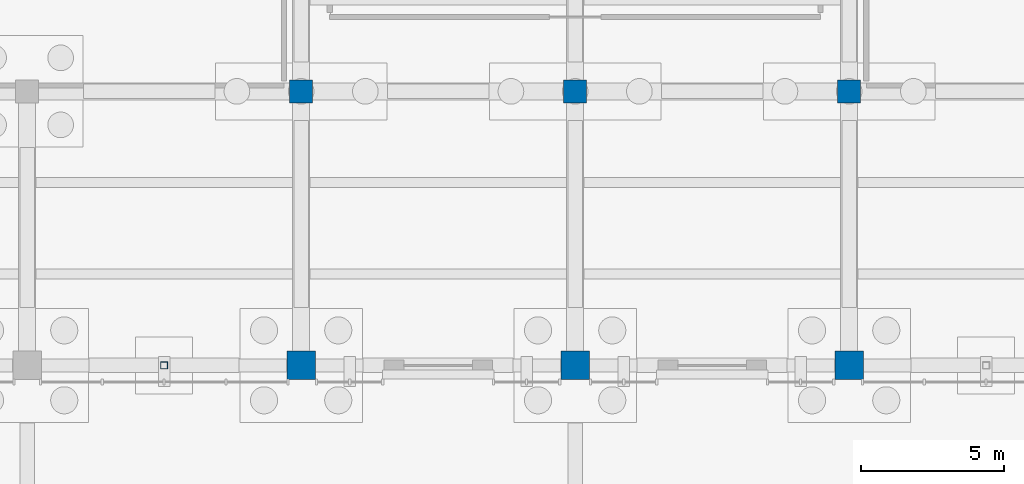
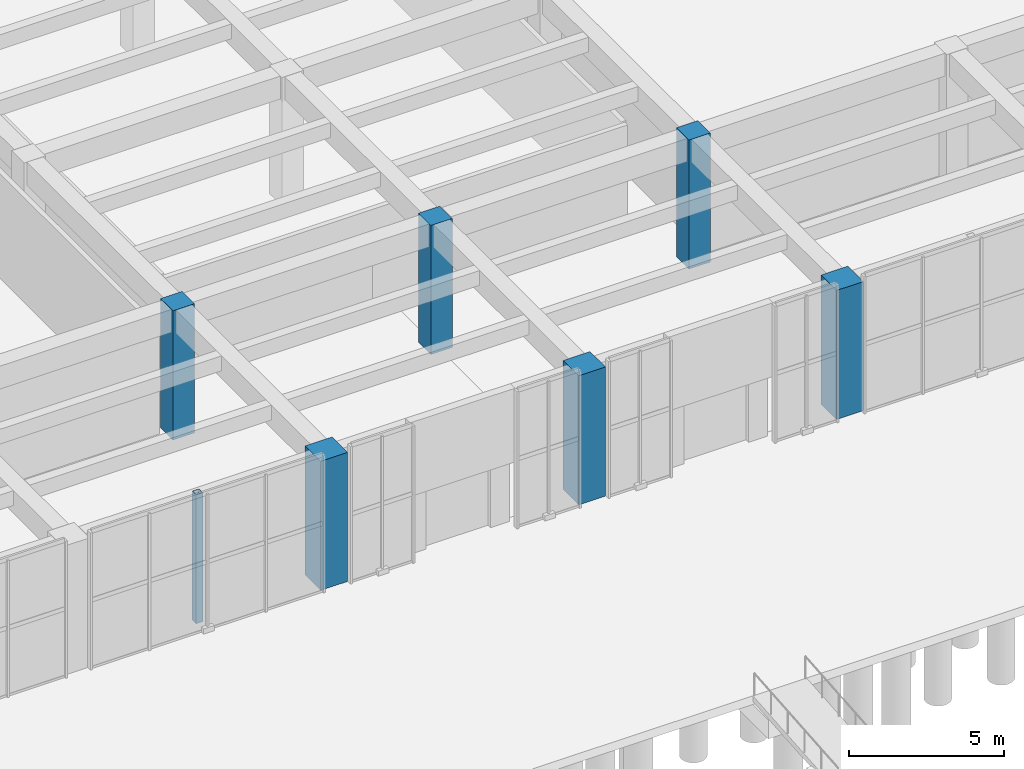
# One storey, part 8 of 51: 7 columns.
"""IFC4 building model written with IfcOpenShell, lengths in metres."""

from ifc_helpers import new_model, si_unit, direction, frame, origin, origin_2d, place, context, subcontext, project, spatial, rectangle, hollow_rectangle, extrude, material, material_profile, profile_set, type_object, element, save


model = new_model("IFC4")

# Units and contexts
model_context = context("Model", 3, precision=1e-05, world=origin(), true_north=direction((0.0, 1.0)))
body_context = subcontext(model_context, "Body", "Model", "MODEL_VIEW")
ifc_project = project(units=[si_unit("LENGTHUNIT", "METRE"), si_unit("AREAUNIT", "SQUARE_METRE"), si_unit("VOLUMEUNIT", "CUBIC_METRE"), si_unit("PLANEANGLEUNIT", "RADIAN"), si_unit("MASSUNIT", "GRAM", prefix="KILO")], contexts=[model_context])

# Site, building, storey
site_placement = place(None, origin())
site = spatial("IfcSite", under=ifc_project, at=site_placement, CompositionType="ELEMENT")
building_placement = place(site_placement, origin())
building = spatial("IfcBuilding", under=site, at=building_placement, Name="Bempovik Park Faculty of Sciences", CompositionType="ELEMENT")
storey_placement = place(building_placement, origin())
storey = spatial("IfcBuildingStorey", under=building, at=storey_placement, Name="L00", CompositionType="ELEMENT", Elevation=0.0)

# Columns
ifc_material_1 = material(Name="Concrete C40/50", Category="concrete")
ifc_material_profile_1 = material_profile(ifc_material_1, rectangle(XDim=0.800048828125, YDim=0.800048828125, at=origin_2d()), Name="RC 800x800")
ifc_profile_set_1 = profile_set([ifc_material_profile_1], Name="Concrete C40/50")
column_type_1 = type_object("IfcColumnType", Name="C-33 RC 800x800", PredefinedType="COLUMN", material=ifc_profile_set_1)
for number, where, z_axis, x_axis, name in (
    (1, (79.199951171875, 29.39990234375, 0.0), (0.0, 0.0, 1.0), (1.0, 0.0, 0.0), "L00 Structural Column (79.2,29.4)"),
    (2, (88.800048828125, 29.39990234375, 0.0), (0.0, 0.0, 1.0), (1.0, 0.0, 0.0), "L00 Structural Column (88.8,29.4)"),
    (3, (98.39990234375, 29.39990234375, 0.0), (0.0, 0.0, 1.0), (1.0, 0.0, 0.0), "L00 Structural Column (98.4,29.4)"),
):
    element("IfcColumn", number, at=place(storey_placement, frame(where, z_axis=z_axis, x_axis=x_axis)), inside=storey, type_object=column_type_1, Name=name, PredefinedType="COLUMN", context=body_context, shape_type="SweptSolid", body=[
        extrude(rectangle(XDim=0.800048828125, YDim=0.800048828125, at=origin_2d()), origin(), (0.0, 0.0, 1.0), 5.080078125),
    ])
ifc_material_2 = material(Name="Steel S355", Category="steel")
ifc_material_profile_2 = material_profile(ifc_material_2, hollow_rectangle(XDim=0.25, YDim=0.25, WallThickness=0.012451171875, at=origin_2d()), Name="SHS 250x250x12.5")
ifc_profile_set_2 = profile_set([ifc_material_profile_2], Name="Steel S355")
column_type_2 = type_object("IfcColumnType", Name="C-47 SHS 250x250x12.5", PredefinedType="COLUMN", material=ifc_profile_set_2)
column_placement = place(storey_placement, frame((74.39990234375, 19.800048828125, 0.0), z_axis=(0.0, 0.0, 1.0), x_axis=(1.0, 0.0, 0.0)))
element("IfcColumn", 4, at=column_placement, inside=storey, type_object=column_type_2, Name="Foyer Steel Mullion Column L00 (74.4)", PredefinedType="COLUMN", context=body_context, shape_type="SweptSolid", body=[
    extrude(hollow_rectangle(XDim=0.25, YDim=0.25, WallThickness=0.012451171875, at=origin_2d()), origin(), (0.0, 0.0, 1.0), 5.080078125),
])
ifc_material_profile_3 = material_profile(ifc_material_1, rectangle(XDim=1.0, YDim=1.0, at=origin_2d()), Name="RC 1000x1000")
ifc_profile_set_3 = profile_set([ifc_material_profile_3], Name="Concrete C40/50")
column_type_3 = type_object("IfcColumnType", Name="C-84 RC 1000x1000", PredefinedType="COLUMN", material=ifc_profile_set_3)
for number, where, z_axis, x_axis, name in (
    (5, (79.199951171875, 19.800048828125, 0.0), (0.0, 0.0, 1.0), (1.0, 0.0, 0.0), "L00 Structural Column (79.2,19.8)"),
    (6, (88.800048828125, 19.800048828125, 0.0), (0.0, 0.0, 1.0), (1.0, 0.0, 0.0), "L00 Structural Column (88.8,19.8)"),
    (7, (98.39990234375, 19.800048828125, 0.0), (0.0, 0.0, 1.0), (1.0, 0.0, 0.0), "L00 Structural Column (98.4,19.8)"),
):
    element("IfcColumn", number, at=place(storey_placement, frame(where, z_axis=z_axis, x_axis=x_axis)), inside=storey, type_object=column_type_3, Name=name, PredefinedType="COLUMN", context=body_context, shape_type="SweptSolid", body=[
        extrude(rectangle(XDim=1.0, YDim=1.0, at=origin_2d()), origin(), (0.0, 0.0, 1.0), 5.080078125),
    ])

save(model, "model.ifc")
